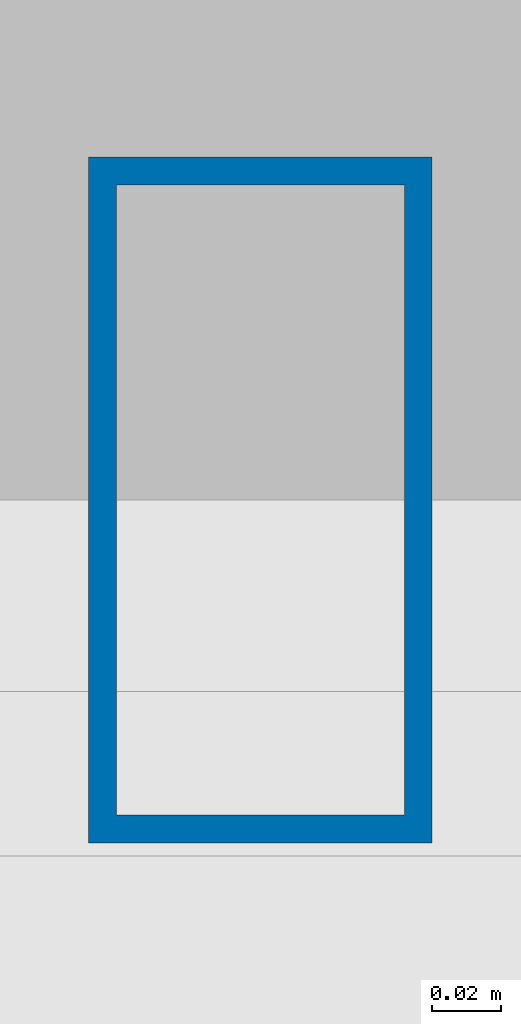
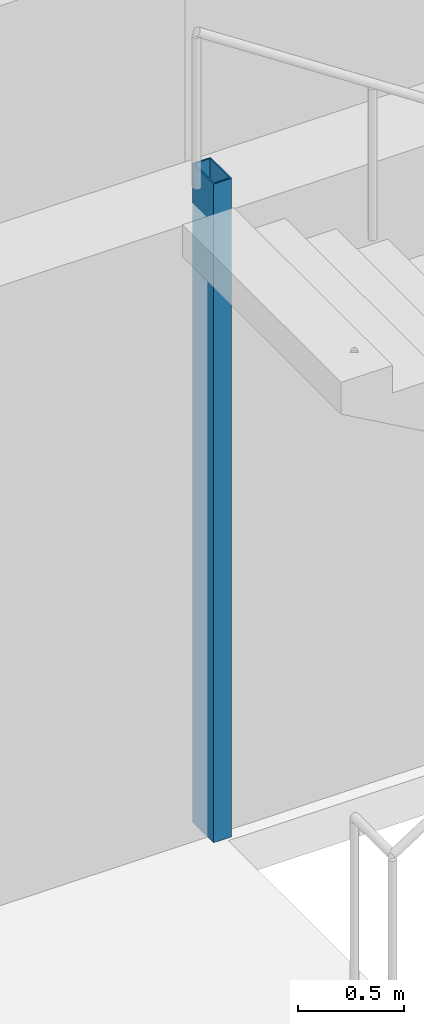
# One storey, part 2 of 16: 1 column.
"""IFC4 building model written with IfcOpenShell, lengths in metres."""

from ifc_helpers import new_model, si_unit, direction, frame, origin, origin_2d, place, context, subcontext, project, spatial, hollow_rectangle, extrude, material, material_profile, profile_set, type_object, element, save


model = new_model("IFC4")

# Units and contexts
model_context = context("Model", 3, precision=1e-05, world=origin(), true_north=direction((0.0, 1.0)))
body_context = subcontext(model_context, "Body", "Model", "MODEL_VIEW")
ifc_project = project(units=[si_unit("LENGTHUNIT", "METRE"), si_unit("AREAUNIT", "SQUARE_METRE"), si_unit("VOLUMEUNIT", "CUBIC_METRE"), si_unit("PLANEANGLEUNIT", "RADIAN"), si_unit("MASSUNIT", "GRAM", prefix="KILO")], contexts=[model_context])

# Site, building, storey
site_placement = place(None, origin())
site = spatial("IfcSite", under=ifc_project, at=site_placement, CompositionType="ELEMENT")
building_placement = place(site_placement, origin())
building = spatial("IfcBuilding", under=site, at=building_placement, Name="Menara Jurai Vektor", CompositionType="ELEMENT")
storey_placement = place(building_placement, frame((0.0, 0.0, 59.800048828125)))
storey = spatial("IfcBuildingStorey", under=building, at=storey_placement, Name="L14", CompositionType="ELEMENT", Elevation=59.800048828125)

# Column
ifc_material = material(Name="Steel S355", Category="steel")
ifc_material_profile = material_profile(ifc_material, hollow_rectangle(XDim=0.10009765625, YDim=0.199951171875, WallThickness=0.008056640625, at=origin_2d()), Name="RHS 200x100x8")
ifc_profile_set = profile_set([ifc_material_profile], Name="Steel S355")
column_type = type_object("IfcColumnType", Name="STR-COL-STAIR", PredefinedType="COLUMN", material=ifc_profile_set)
column_placement = place(storey_placement, frame((-11.1201171875, 5.419921875, 0.0), z_axis=(0.0, 0.0, 1.0), x_axis=(1.0, 0.0, 0.0)))
element("IfcColumn", 1, at=column_placement, inside=storey, type_object=column_type, Name="Stair Well Header Column ST1-P2 L14", PredefinedType="COLUMN", context=body_context, shape_type="SweptSolid", body=[
    extrude(hollow_rectangle(XDim=0.10009765625, YDim=0.199951171875, WallThickness=0.008056640625, at=origin_2d()), origin(), (0.0, 0.0, 1.0), 3.800048828125),
])

save(model, "model.ifc")
